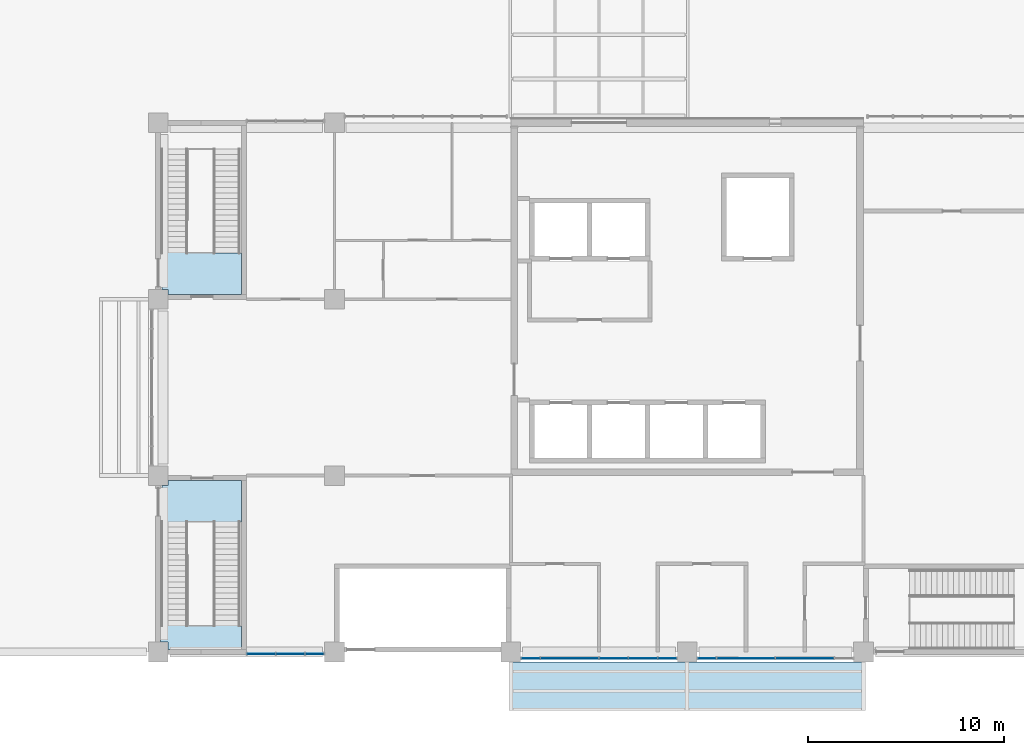
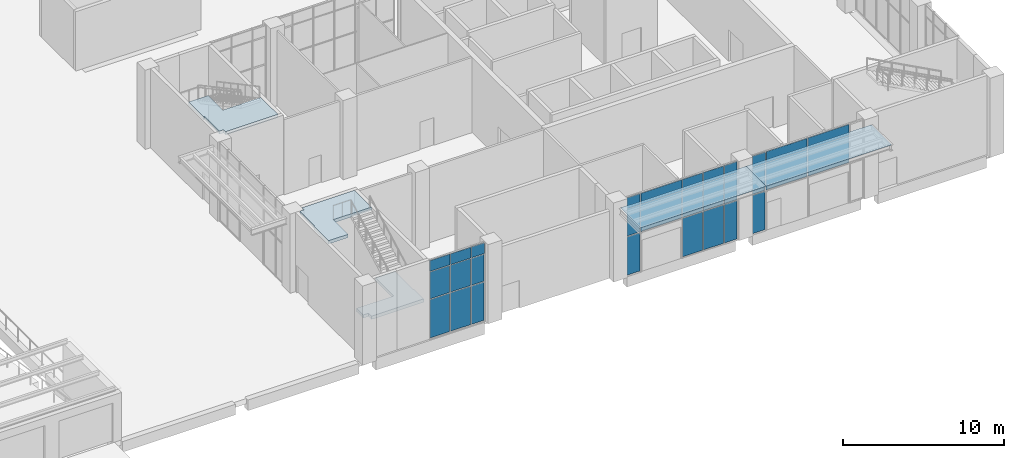
# One storey, part 45 of 86: 32 plates, 3 slabs, 5 elements without a shape of their own.
"""IFC4 building model written with IfcOpenShell, lengths in metres."""

from ifc_helpers import new_model, si_unit, direction, frame, origin, origin_2d, place, context, subcontext, project, spatial, polyline, rectangle, outline, extrude, material, layer, layer_set, type_object, element, aggregate, save


model = new_model("IFC4")

# Units and contexts
model_context = context("Model", 3, precision=1e-05, world=origin(), true_north=direction((0.0, 1.0)))
body_context = subcontext(model_context, "Body", "Model", "MODEL_VIEW")
ifc_project = project(units=[si_unit("LENGTHUNIT", "METRE"), si_unit("AREAUNIT", "SQUARE_METRE"), si_unit("VOLUMEUNIT", "CUBIC_METRE"), si_unit("PLANEANGLEUNIT", "RADIAN"), si_unit("MASSUNIT", "GRAM", prefix="KILO")], contexts=[model_context])

# Site, building, storey
site_placement = place(None, origin())
site = spatial("IfcSite", under=ifc_project, at=site_placement, CompositionType="ELEMENT")
building_placement = place(site_placement, origin())
building = spatial("IfcBuilding", under=site, at=building_placement, Name="Guidao Yard Department Store", CompositionType="ELEMENT")
storey_placement = place(building_placement, origin())
storey = spatial("IfcBuildingStorey", under=building, at=storey_placement, Name="L00", CompositionType="ELEMENT", Elevation=0.0)

# Plates
ifc_material_1 = material(Name="Laminated glass", Category="glass")
ifc_layer_1 = layer(ifc_material_1, 0.021484375)
ifc_layer_set_1 = layer_set([ifc_layer_1], Name="Canopy glass CG1 laminated 10+10")
plate_type_1 = type_object("IfcPlateType", Name="Canopy glass CG1 laminated 10+10", PredefinedType="SHEET", material=ifc_layer_set_1)
for number, where, z_axis, x_axis, name in (
    (1, (148.5, -1.75, 5.449951171875), (0.0, 0.0, 1.0), (1.0, 0.0, 0.0), "Office canopy south glazing 1.1"),
    (2, (157.5, -1.75, 5.449951171875), (0.0, 0.0, 1.0), (1.0, 0.0, 0.0), "Office canopy south glazing 2.1"),
):
    element("IfcPlate", number, at=place(storey_placement, frame(where, z_axis=z_axis, x_axis=x_axis)), inside=storey, type_object=plate_type_1, Name=name, PredefinedType="SHEET", context=body_context, shape_type="SweptSolid", body=[
        extrude(rectangle(XDim=8.989990234375, YDim=2.5, at=origin_2d()), origin(), (0.0, 0.0, 1.0), 0.021484375),
    ])

# Curtain wall, plates
ifc_material_2 = material(Name="Aluminium and glass", Category="aluminium")
ifc_layer_2 = layer(ifc_material_2, 0.159912109375)
ifc_layer_set_2 = layer_set([ifc_layer_2], Name="Unitised curtain wall CW4 1500 module")
curtain_wall_type = type_object("IfcCurtainWallType", Name="Unitised curtain wall CW4 1500 module", PredefinedType="NOTDEFINED", material=ifc_layer_set_2)
curtain_wall_1_placement = place(storey_placement, origin())
curtain_wall_1 = element("IfcCurtainWall", 3, at=curtain_wall_1_placement, inside=storey, type_object=curtain_wall_type, Name="Unitised curtain wall", PredefinedType="NOTDEFINED")
ifc_material_3 = material(Name="Aluminium 6063-T5 faced insulated spandrel", Category="aluminium")
ifc_layer_3 = layer(ifc_material_3, 0.06005859375)
ifc_layer_set_3 = layer_set([ifc_layer_3], Name="Spandrel panel SP1 insulated opaque")
plate_type_2 = type_object("IfcPlateType", Name="Spandrel panel SP1 insulated opaque", PredefinedType="CURTAIN_PANEL", material=ifc_layer_set_3)
plate_1_placement = place(storey_placement, frame((131.264892578125, -0.10009765625, 5.1298828125), z_axis=(0.0, 0.0, 1.0), x_axis=(-1.0, 0.0, 0.0)))
plate_1 = element("IfcPlate", 4, at=plate_1_placement, type_object=plate_type_2, Name="CW-OW-L00-01 panel 1.3", PredefinedType="CURTAIN_PANEL", context=body_context, shape_type="SweptSolid", body=[
    extrude(rectangle(XDim=1.409912109375, YDim=0.06005859375, at=origin_2d()), origin(), (0.0, 0.0, 1.0), 0.81005859375),
])
plate_2_placement = place(storey_placement, frame((132.75, -0.10009765625, 5.1298828125), z_axis=(0.0, 0.0, 1.0), x_axis=(-1.0, 0.0, 0.0)))
plate_2 = element("IfcPlate", 5, at=plate_2_placement, type_object=plate_type_2, Name="CW-OW-L00-01 panel 2.3", PredefinedType="CURTAIN_PANEL", context=body_context, shape_type="SweptSolid", body=[
    extrude(rectangle(XDim=1.43994140625, YDim=0.06005859375, at=origin_2d()), origin(), (0.0, 0.0, 1.0), 0.81005859375),
])
plate_3_placement = place(storey_placement, frame((133.985107421875, -0.10009765625, 5.1298828125), z_axis=(0.0, 0.0, 1.0), x_axis=(-1.0, 0.0, 0.0)))
plate_3 = element("IfcPlate", 6, at=plate_3_placement, type_object=plate_type_2, Name="CW-OW-L00-01 panel 3.3", PredefinedType="CURTAIN_PANEL", context=body_context, shape_type="SweptSolid", body=[
    extrude(rectangle(XDim=0.909912109375, YDim=0.06005859375, at=origin_2d()), origin(), (0.0, 0.0, 1.0), 0.81005859375),
])

curtain_wall_2_placement = place(storey_placement, origin())
curtain_wall_2 = element("IfcCurtainWall", 7, at=curtain_wall_2_placement, inside=storey, type_object=curtain_wall_type, Name="Unitised curtain wall", PredefinedType="NOTDEFINED")
plate_4_placement = place(storey_placement, frame((145.014892578125, -0.330078125, 5.1298828125), z_axis=(0.0, 0.0, 1.0), x_axis=(-1.0, 0.0, 0.0)))
plate_4 = element("IfcPlate", 8, at=plate_4_placement, type_object=plate_type_2, Name="CW-OW-L00-02 panel 1.3", PredefinedType="CURTAIN_PANEL", context=body_context, shape_type="SweptSolid", body=[
    extrude(rectangle(XDim=0.909912109375, YDim=0.06005859375, at=origin_2d()), origin(), (0.0, 0.0, 1.0), 0.81005859375),
])
plate_5_placement = place(storey_placement, frame((147.0, -0.330078125, 5.1298828125), z_axis=(0.0, 0.0, 1.0), x_axis=(-1.0, 0.0, 0.0)))
plate_5 = element("IfcPlate", 9, at=plate_5_placement, type_object=plate_type_2, Name="CW-OW-L00-02 panel 2.3", PredefinedType="CURTAIN_PANEL", context=body_context, shape_type="SweptSolid", body=[
    extrude(rectangle(XDim=2.93994140625, YDim=0.06005859375, at=origin_2d()), origin(), (0.0, 0.0, 1.0), 0.81005859375),
])
plate_6_placement = place(storey_placement, frame((149.25, -0.330078125, 5.1298828125), z_axis=(0.0, 0.0, 1.0), x_axis=(-1.0, 0.0, 0.0)))
plate_6 = element("IfcPlate", 10, at=plate_6_placement, type_object=plate_type_2, Name="CW-OW-L00-02 panel 3.3", PredefinedType="CURTAIN_PANEL", context=body_context, shape_type="SweptSolid", body=[
    extrude(rectangle(XDim=1.43994140625, YDim=0.06005859375, at=origin_2d()), origin(), (0.0, 0.0, 1.0), 0.81005859375),
])
plate_7_placement = place(storey_placement, frame((150.75, -0.330078125, 5.1298828125), z_axis=(0.0, 0.0, 1.0), x_axis=(-1.0, 0.0, 0.0)))
plate_7 = element("IfcPlate", 11, at=plate_7_placement, type_object=plate_type_2, Name="CW-OW-L00-02 panel 4.3", PredefinedType="CURTAIN_PANEL", context=body_context, shape_type="SweptSolid", body=[
    extrude(rectangle(XDim=1.43994140625, YDim=0.06005859375, at=origin_2d()), origin(), (0.0, 0.0, 1.0), 0.81005859375),
])
plate_8_placement = place(storey_placement, frame((151.985107421875, -0.330078125, 5.1298828125), z_axis=(0.0, 0.0, 1.0), x_axis=(-1.0, 0.0, 0.0)))
plate_8 = element("IfcPlate", 12, at=plate_8_placement, type_object=plate_type_2, Name="CW-OW-L00-02 panel 5.3", PredefinedType="CURTAIN_PANEL", context=body_context, shape_type="SweptSolid", body=[
    extrude(rectangle(XDim=0.909912109375, YDim=0.06005859375, at=origin_2d()), origin(), (0.0, 0.0, 1.0), 0.81005859375),
])

curtain_wall_3_placement = place(storey_placement, origin())
curtain_wall_3 = element("IfcCurtainWall", 13, at=curtain_wall_3_placement, inside=storey, type_object=curtain_wall_type, Name="Unitised curtain wall", PredefinedType="NOTDEFINED")
plate_9_placement = place(storey_placement, frame((154.014892578125, -0.330078125, 5.1298828125), z_axis=(0.0, 0.0, 1.0), x_axis=(-1.0, 0.0, 0.0)))
plate_9 = element("IfcPlate", 14, at=plate_9_placement, type_object=plate_type_2, Name="CW-OW-L00-03 panel 1.3", PredefinedType="CURTAIN_PANEL", context=body_context, shape_type="SweptSolid", body=[
    extrude(rectangle(XDim=0.909912109375, YDim=0.06005859375, at=origin_2d()), origin(), (0.0, 0.0, 1.0), 0.81005859375),
])
plate_10_placement = place(storey_placement, frame((156.0, -0.330078125, 5.1298828125), z_axis=(0.0, 0.0, 1.0), x_axis=(-1.0, 0.0, 0.0)))
plate_10 = element("IfcPlate", 15, at=plate_10_placement, type_object=plate_type_2, Name="CW-OW-L00-03 panel 2.3", PredefinedType="CURTAIN_PANEL", context=body_context, shape_type="SweptSolid", body=[
    extrude(rectangle(XDim=2.93994140625, YDim=0.06005859375, at=origin_2d()), origin(), (0.0, 0.0, 1.0), 0.81005859375),
])
plate_11_placement = place(storey_placement, frame((159.0, -0.330078125, 5.1298828125), z_axis=(0.0, 0.0, 1.0), x_axis=(-1.0, 0.0, 0.0)))
plate_11 = element("IfcPlate", 16, at=plate_11_placement, type_object=plate_type_2, Name="CW-OW-L00-03 panel 3.3", PredefinedType="CURTAIN_PANEL", context=body_context, shape_type="SweptSolid", body=[
    extrude(rectangle(XDim=2.93994140625, YDim=0.06005859375, at=origin_2d()), origin(), (0.0, 0.0, 1.0), 0.81005859375),
])

# Stair, slabs
ifc_material_4 = material(Name="Concrete C35", Category="concrete")
stair_type = type_object("IfcStairType", Name="Stair half-turn two-flight 1400 wide 6.0 m rise", PredefinedType="HALF_TURN_STAIR", material=ifc_material_4)
stair_1_placement = place(storey_placement, origin())
stair_1 = element("IfcStair", 17, at=stair_1_placement, inside=storey, type_object=stair_type, Name="Stair O1 L00 to L01", PredefinedType="HALF_TURN_STAIR")
ifc_material_5 = material(Name="Concrete C35", Category="concrete")
ifc_layer_4 = layer(ifc_material_5, 0.25)
ifc_layer_set_4 = layer_set([ifc_layer_4], Name="Stair landing RC 250 C35")
slab_type = type_object("IfcSlabType", Name="Stair landing RC 250 C35", PredefinedType="LANDING", material=ifc_layer_set_4)
slab_1_placement = place(storey_placement, frame((0.0, 0.0, 2.75)))
slab_1 = element("IfcSlab", 18, at=slab_1_placement, type_object=slab_type, Name="SO1-L00 landing 1", PredefinedType="LANDING", context=body_context, shape_type="SweptSolid", body=[
    extrude(outline(polyline([(126.5, 0.125), (126.5, 0.5), (126.125, 0.5), (126.125, 1.330078125), (126.125, 1.340087890625), (127.52490234375, 1.340087890625), (127.52490234375, 1.330078125), (128.800048828125, 1.330078125), (128.800048828125, 3.60791015625), (130.199951171875, 3.60791015625), (130.199951171875, 1.330078125), (130.25, 1.330078125), (130.25, 0.125), (126.5, 0.125)])), origin(), (0.0, 0.0, 1.0), 0.25),
])
slab_2_placement = place(storey_placement, frame((0.0, 0.0, 5.75)))
slab_2 = element("IfcSlab", 19, at=slab_2_placement, type_object=slab_type, Name="SO1-L00 landing 2", PredefinedType="LANDING", context=body_context, shape_type="SweptSolid", body=[
    extrude(outline(polyline([(126.125, 6.64990234375), (126.199951171875, 6.64990234375), (126.199951171875, 8.5), (126.5, 8.5), (126.5, 8.75), (128.800048828125, 8.75), (130.25, 8.75), (130.25, 6.639892578125), (128.800048828125, 6.639892578125), (128.800048828125, 6.64990234375), (127.52490234375, 6.64990234375), (127.52490234375, 4.820068359375), (126.125, 4.820068359375), (126.125, 6.64990234375)])), origin(), (0.0, 0.0, 1.0), 0.25),
])
aggregate(stair_1, [slab_1, slab_2])

# Stair, slab
stair_2_placement = place(storey_placement, origin())
stair_2 = element("IfcStair", 20, at=stair_2_placement, inside=storey, type_object=stair_type, Name="Stair O3 L00 to L01", PredefinedType="HALF_TURN_STAIR")
slab_3_placement = place(storey_placement, frame((0.0, 0.0, 5.75)))
slab_3 = element("IfcSlab", 21, at=slab_3_placement, type_object=slab_type, Name="SO3-L00 landing 2", PredefinedType="LANDING", context=body_context, shape_type="SweptSolid", body=[
    extrude(outline(polyline([(130.25, 20.360107421875), (130.25, 18.25), (128.800048828125, 18.25), (126.5, 18.25), (126.5, 18.5), (126.199951171875, 18.5), (126.199951171875, 20.35009765625), (126.125, 20.35009765625), (126.125, 22.179931640625), (127.52490234375, 22.179931640625), (127.52490234375, 20.35009765625), (128.800048828125, 20.35009765625), (128.800048828125, 20.360107421875), (130.25, 20.360107421875)])), origin(), (0.0, 0.0, 1.0), 0.25),
])
aggregate(stair_2, [slab_3])

# Plate
ifc_material_6 = material(Name="Laminated heat-soaked tempered glass", Category="glass")
ifc_layer_5 = layer(ifc_material_6, 0.017578125)
ifc_layer_set_5 = layer_set([ifc_layer_5], Name="Vision glass VG1 laminated heat-soaked tempered 8+8")
plate_type_3 = type_object("IfcPlateType", Name="Vision glass VG1 laminated heat-soaked tempered 8+8", PredefinedType="CURTAIN_PANEL", material=ifc_layer_set_5)
plate_12_placement = place(storey_placement, frame((131.264892578125, -0.10009765625, 0.06005859375), z_axis=(0.0, 0.0, 1.0), x_axis=(-1.0, 0.0, 0.0)))
plate_12 = element("IfcPlate", 22, at=plate_12_placement, type_object=plate_type_3, Name="CW-OW-L00-01 panel 1.1", PredefinedType="CURTAIN_PANEL", context=body_context, shape_type="SweptSolid", body=[
    extrude(rectangle(XDim=1.409912109375, YDim=0.017578125, at=origin_2d()), origin(), (0.0, 0.0, 1.0), 2.909912109375),
])

plate_13_placement = place(storey_placement, frame((131.264892578125, -0.10009765625, 3.030029296875), z_axis=(0.0, 0.0, 1.0), x_axis=(-1.0, 0.0, 0.0)))
plate_13 = element("IfcPlate", 23, at=plate_13_placement, type_object=plate_type_3, Name="CW-OW-L00-01 panel 1.2", PredefinedType="CURTAIN_PANEL", context=body_context, shape_type="SweptSolid", body=[
    extrude(rectangle(XDim=1.409912109375, YDim=0.017578125, at=origin_2d()), origin(), (0.0, 0.0, 1.0), 2.0400390625),
])

plate_14_placement = place(storey_placement, frame((132.75, -0.10009765625, 0.06005859375), z_axis=(0.0, 0.0, 1.0), x_axis=(-1.0, 0.0, 0.0)))
plate_14 = element("IfcPlate", 24, at=plate_14_placement, type_object=plate_type_3, Name="CW-OW-L00-01 panel 2.1", PredefinedType="CURTAIN_PANEL", context=body_context, shape_type="SweptSolid", body=[
    extrude(rectangle(XDim=1.43994140625, YDim=0.017578125, at=origin_2d()), origin(), (0.0, 0.0, 1.0), 2.909912109375),
])

plate_15_placement = place(storey_placement, frame((132.75, -0.10009765625, 3.030029296875), z_axis=(0.0, 0.0, 1.0), x_axis=(-1.0, 0.0, 0.0)))
plate_15 = element("IfcPlate", 25, at=plate_15_placement, type_object=plate_type_3, Name="CW-OW-L00-01 panel 2.2", PredefinedType="CURTAIN_PANEL", context=body_context, shape_type="SweptSolid", body=[
    extrude(rectangle(XDim=1.43994140625, YDim=0.017578125, at=origin_2d()), origin(), (0.0, 0.0, 1.0), 2.0400390625),
])

plate_16_placement = place(storey_placement, frame((133.985107421875, -0.10009765625, 0.06005859375), z_axis=(0.0, 0.0, 1.0), x_axis=(-1.0, 0.0, 0.0)))
plate_16 = element("IfcPlate", 26, at=plate_16_placement, type_object=plate_type_3, Name="CW-OW-L00-01 panel 3.1", PredefinedType="CURTAIN_PANEL", context=body_context, shape_type="SweptSolid", body=[
    extrude(rectangle(XDim=0.909912109375, YDim=0.017578125, at=origin_2d()), origin(), (0.0, 0.0, 1.0), 2.909912109375),
])

plate_17_placement = place(storey_placement, frame((133.985107421875, -0.10009765625, 3.030029296875), z_axis=(0.0, 0.0, 1.0), x_axis=(-1.0, 0.0, 0.0)))
plate_17 = element("IfcPlate", 27, at=plate_17_placement, type_object=plate_type_3, Name="CW-OW-L00-01 panel 3.2", PredefinedType="CURTAIN_PANEL", context=body_context, shape_type="SweptSolid", body=[
    extrude(rectangle(XDim=0.909912109375, YDim=0.017578125, at=origin_2d()), origin(), (0.0, 0.0, 1.0), 2.0400390625),
])

aggregate(curtain_wall_1, [plate_12, plate_13, plate_1, plate_14, plate_15, plate_2, plate_16, plate_17, plate_3])

plate_18_placement = place(storey_placement, frame((145.014892578125, -0.330078125, 0.06005859375), z_axis=(0.0, 0.0, 1.0), x_axis=(-1.0, 0.0, 0.0)))
plate_18 = element("IfcPlate", 28, at=plate_18_placement, type_object=plate_type_3, Name="CW-OW-L00-02 panel 1.1", PredefinedType="CURTAIN_PANEL", context=body_context, shape_type="SweptSolid", body=[
    extrude(rectangle(XDim=0.909912109375, YDim=0.017578125, at=origin_2d()), origin(), (0.0, 0.0, 1.0), 2.909912109375),
])

plate_19_placement = place(storey_placement, frame((145.014892578125, -0.330078125, 3.030029296875), z_axis=(0.0, 0.0, 1.0), x_axis=(-1.0, 0.0, 0.0)))
plate_19 = element("IfcPlate", 29, at=plate_19_placement, type_object=plate_type_3, Name="CW-OW-L00-02 panel 1.2", PredefinedType="CURTAIN_PANEL", context=body_context, shape_type="SweptSolid", body=[
    extrude(rectangle(XDim=0.909912109375, YDim=0.017578125, at=origin_2d()), origin(), (0.0, 0.0, 1.0), 2.0400390625),
])

plate_20_placement = place(storey_placement, frame((147.0, -0.330078125, 3.030029296875), z_axis=(0.0, 0.0, 1.0), x_axis=(-1.0, 0.0, 0.0)))
plate_20 = element("IfcPlate", 30, at=plate_20_placement, type_object=plate_type_3, Name="CW-OW-L00-02 panel 2.2", PredefinedType="CURTAIN_PANEL", context=body_context, shape_type="SweptSolid", body=[
    extrude(rectangle(XDim=2.93994140625, YDim=0.017578125, at=origin_2d()), origin(), (0.0, 0.0, 1.0), 2.0400390625),
])

plate_21_placement = place(storey_placement, frame((149.25, -0.330078125, 0.06005859375), z_axis=(0.0, 0.0, 1.0), x_axis=(-1.0, 0.0, 0.0)))
plate_21 = element("IfcPlate", 31, at=plate_21_placement, type_object=plate_type_3, Name="CW-OW-L00-02 panel 3.1", PredefinedType="CURTAIN_PANEL", context=body_context, shape_type="SweptSolid", body=[
    extrude(rectangle(XDim=1.43994140625, YDim=0.017578125, at=origin_2d()), origin(), (0.0, 0.0, 1.0), 2.909912109375),
])

plate_22_placement = place(storey_placement, frame((149.25, -0.330078125, 3.030029296875), z_axis=(0.0, 0.0, 1.0), x_axis=(-1.0, 0.0, 0.0)))
plate_22 = element("IfcPlate", 32, at=plate_22_placement, type_object=plate_type_3, Name="CW-OW-L00-02 panel 3.2", PredefinedType="CURTAIN_PANEL", context=body_context, shape_type="SweptSolid", body=[
    extrude(rectangle(XDim=1.43994140625, YDim=0.017578125, at=origin_2d()), origin(), (0.0, 0.0, 1.0), 2.0400390625),
])

plate_23_placement = place(storey_placement, frame((150.75, -0.330078125, 0.06005859375), z_axis=(0.0, 0.0, 1.0), x_axis=(-1.0, 0.0, 0.0)))
plate_23 = element("IfcPlate", 33, at=plate_23_placement, type_object=plate_type_3, Name="CW-OW-L00-02 panel 4.1", PredefinedType="CURTAIN_PANEL", context=body_context, shape_type="SweptSolid", body=[
    extrude(rectangle(XDim=1.43994140625, YDim=0.017578125, at=origin_2d()), origin(), (0.0, 0.0, 1.0), 2.909912109375),
])

plate_24_placement = place(storey_placement, frame((150.75, -0.330078125, 3.030029296875), z_axis=(0.0, 0.0, 1.0), x_axis=(-1.0, 0.0, 0.0)))
plate_24 = element("IfcPlate", 34, at=plate_24_placement, type_object=plate_type_3, Name="CW-OW-L00-02 panel 4.2", PredefinedType="CURTAIN_PANEL", context=body_context, shape_type="SweptSolid", body=[
    extrude(rectangle(XDim=1.43994140625, YDim=0.017578125, at=origin_2d()), origin(), (0.0, 0.0, 1.0), 2.0400390625),
])

plate_25_placement = place(storey_placement, frame((151.985107421875, -0.330078125, 0.06005859375), z_axis=(0.0, 0.0, 1.0), x_axis=(-1.0, 0.0, 0.0)))
plate_25 = element("IfcPlate", 35, at=plate_25_placement, type_object=plate_type_3, Name="CW-OW-L00-02 panel 5.1", PredefinedType="CURTAIN_PANEL", context=body_context, shape_type="SweptSolid", body=[
    extrude(rectangle(XDim=0.909912109375, YDim=0.017578125, at=origin_2d()), origin(), (0.0, 0.0, 1.0), 2.909912109375),
])

plate_26_placement = place(storey_placement, frame((151.985107421875, -0.330078125, 3.030029296875), z_axis=(0.0, 0.0, 1.0), x_axis=(-1.0, 0.0, 0.0)))
plate_26 = element("IfcPlate", 36, at=plate_26_placement, type_object=plate_type_3, Name="CW-OW-L00-02 panel 5.2", PredefinedType="CURTAIN_PANEL", context=body_context, shape_type="SweptSolid", body=[
    extrude(rectangle(XDim=0.909912109375, YDim=0.017578125, at=origin_2d()), origin(), (0.0, 0.0, 1.0), 2.0400390625),
])

aggregate(curtain_wall_2, [plate_18, plate_19, plate_4, plate_20, plate_5, plate_21, plate_22, plate_6, plate_23, plate_24, plate_7, plate_25, plate_26, plate_8])

plate_27_placement = place(storey_placement, frame((154.014892578125, -0.330078125, 0.06005859375), z_axis=(0.0, 0.0, 1.0), x_axis=(-1.0, 0.0, 0.0)))
plate_27 = element("IfcPlate", 37, at=plate_27_placement, type_object=plate_type_3, Name="CW-OW-L00-03 panel 1.1", PredefinedType="CURTAIN_PANEL", context=body_context, shape_type="SweptSolid", body=[
    extrude(rectangle(XDim=0.909912109375, YDim=0.017578125, at=origin_2d()), origin(), (0.0, 0.0, 1.0), 2.909912109375),
])

plate_28_placement = place(storey_placement, frame((154.014892578125, -0.330078125, 3.030029296875), z_axis=(0.0, 0.0, 1.0), x_axis=(-1.0, 0.0, 0.0)))
plate_28 = element("IfcPlate", 38, at=plate_28_placement, type_object=plate_type_3, Name="CW-OW-L00-03 panel 1.2", PredefinedType="CURTAIN_PANEL", context=body_context, shape_type="SweptSolid", body=[
    extrude(rectangle(XDim=0.909912109375, YDim=0.017578125, at=origin_2d()), origin(), (0.0, 0.0, 1.0), 2.0400390625),
])

plate_29_placement = place(storey_placement, frame((156.0, -0.330078125, 3.030029296875), z_axis=(0.0, 0.0, 1.0), x_axis=(-1.0, 0.0, 0.0)))
plate_29 = element("IfcPlate", 39, at=plate_29_placement, type_object=plate_type_3, Name="CW-OW-L00-03 panel 2.2", PredefinedType="CURTAIN_PANEL", context=body_context, shape_type="SweptSolid", body=[
    extrude(rectangle(XDim=2.93994140625, YDim=0.017578125, at=origin_2d()), origin(), (0.0, 0.0, 1.0), 2.0400390625),
])

plate_30_placement = place(storey_placement, frame((159.0, -0.330078125, 3.030029296875), z_axis=(0.0, 0.0, 1.0), x_axis=(-1.0, 0.0, 0.0)))
plate_30 = element("IfcPlate", 40, at=plate_30_placement, type_object=plate_type_3, Name="CW-OW-L00-03 panel 3.2", PredefinedType="CURTAIN_PANEL", context=body_context, shape_type="SweptSolid", body=[
    extrude(rectangle(XDim=2.93994140625, YDim=0.017578125, at=origin_2d()), origin(), (0.0, 0.0, 1.0), 2.0400390625),
])

aggregate(curtain_wall_3, [plate_27, plate_28, plate_9, plate_29, plate_10, plate_30, plate_11])

save(model, "model.ifc")
